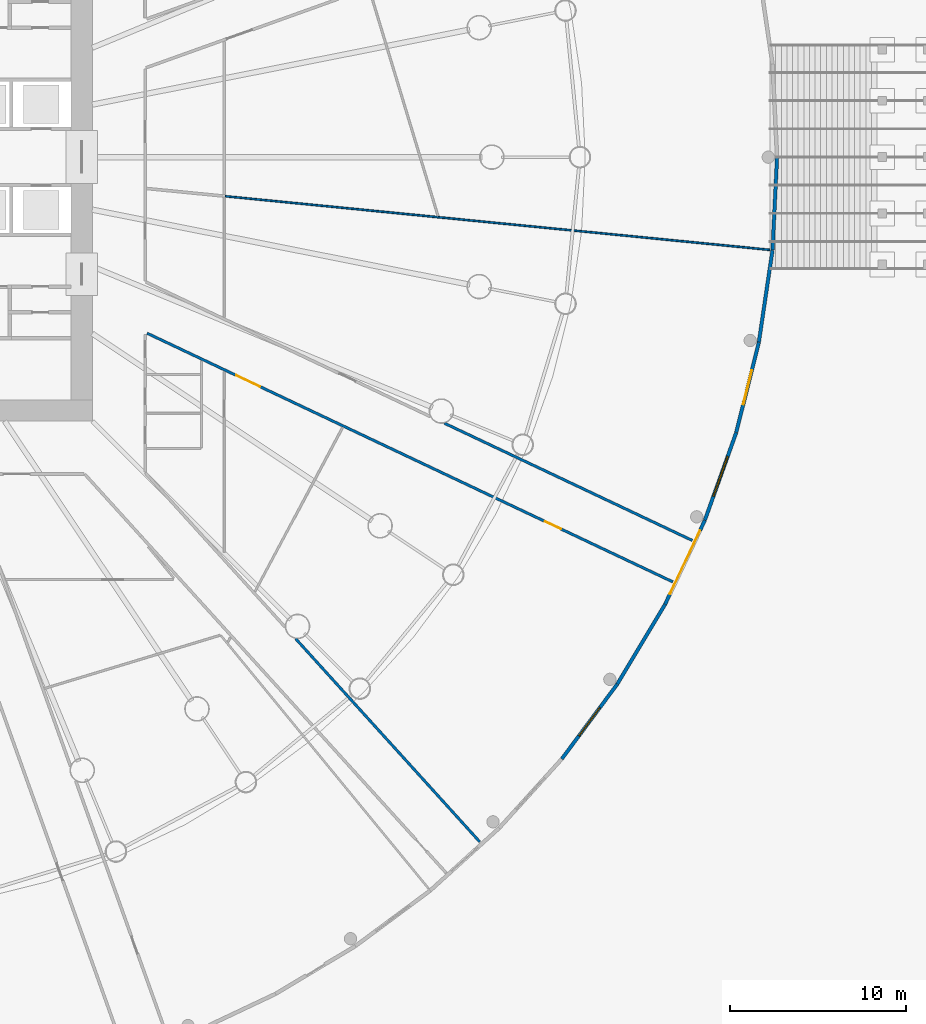
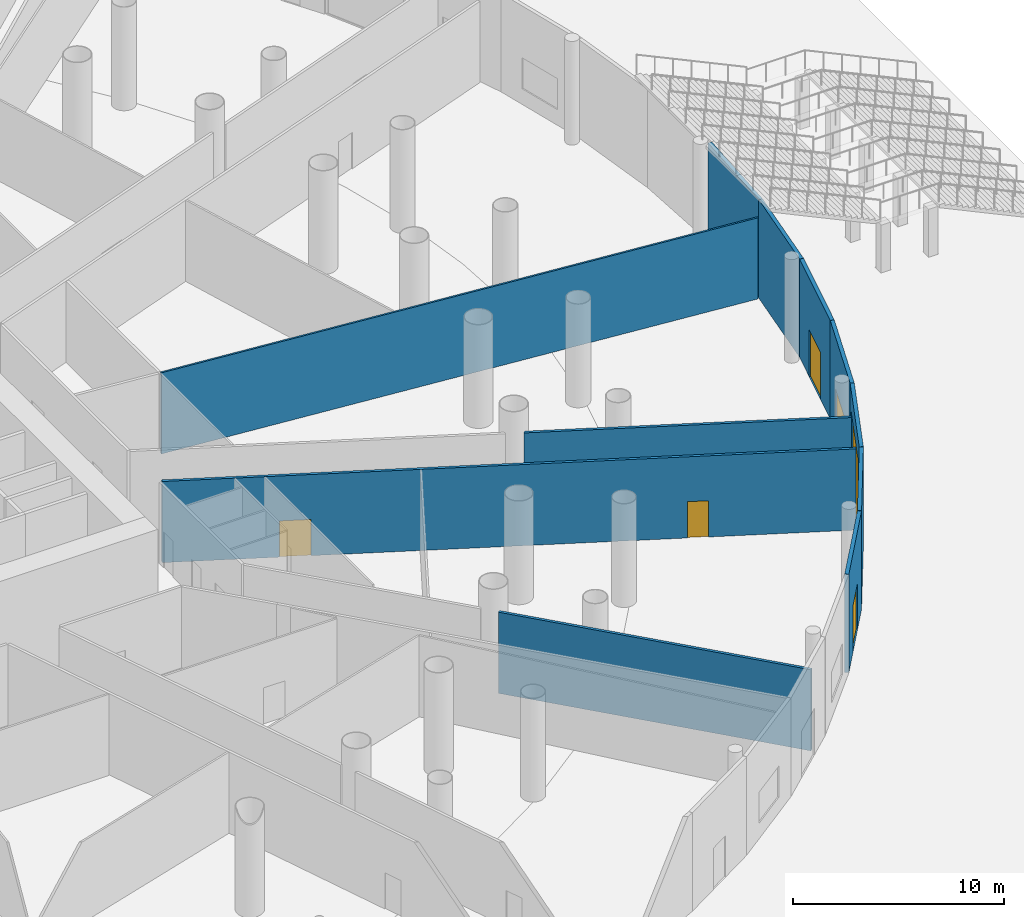
# One storey, part 17 of 33: 11 walls, 5 doors, 1 window, 6 openings.
"""IFC4 building model written with IfcOpenShell, lengths in metres."""

from ifc_helpers import new_model, si_unit, direction, frame, frame_2d, origin, place, context, subcontext, project, spatial, rectangle, extrude, material, layer, layer_set, type_object, element, fill, save


model = new_model("IFC4")

# Units and contexts
model_context = context("Model", 3, precision=1e-05, world=origin(), true_north=direction((0.0, 1.0)))
body_context = subcontext(model_context, "Body", "Model", "MODEL_VIEW")
ifc_project = project(units=[si_unit("LENGTHUNIT", "METRE"), si_unit("AREAUNIT", "SQUARE_METRE"), si_unit("VOLUMEUNIT", "CUBIC_METRE"), si_unit("PLANEANGLEUNIT", "RADIAN"), si_unit("MASSUNIT", "GRAM", prefix="KILO")], contexts=[model_context])

# Site, building, storey
site_placement = place(None, origin())
site = spatial("IfcSite", under=ifc_project, at=site_placement, CompositionType="ELEMENT")
building_placement = place(site_placement, origin())
building = spatial("IfcBuilding", under=site, at=building_placement, Name="Corvane Civic Tower", CompositionType="ELEMENT")
storey_placement = place(building_placement, origin())
storey = spatial("IfcBuildingStorey", under=building, at=storey_placement, Name="G", CompositionType="ELEMENT", Elevation=0.0)

# Walls
ifc_material_1 = material(Name="Limestone cladding", Category="masonry")
ifc_layer_1 = layer(ifc_material_1, 0.199951171875)
ifc_layer_set_1 = layer_set([ifc_layer_1], Name="Limestone cladding")
wall_type_1 = type_object("IfcWallType", Name="PODIUM-W-PLINTH-200", PredefinedType="SOLIDWALL", material=ifc_layer_set_1)
for number, where, z_axis, x_axis, name in (
    (1, (53.899658203125, -0.005126953125, 0.0), (0.0, 0.0, 1.0), (-0.0490657505, -0.998795550715, 0.0), "Plinth stone wall 09A"),
    (2, (53.6396484375, -5.2880859375, 0.0), (0.0, 0.0, 1.0), (-0.146734692875, -0.989175884212, 0.0), "Plinth stone wall 09B"),
):
    element("IfcWall", number, at=place(storey_placement, frame(where, z_axis=z_axis, x_axis=x_axis)), inside=storey, type_object=wall_type_1, Name=name, PredefinedType="SOLIDWALL", context=body_context, shape_type="SweptSolid", body=[
        extrude(rectangle(XDim=5.279296875, YDim=0.199951171875, at=frame_2d((2.6396484375, 0.0))), origin(), (0.0, 0.0, 1.0), 5.699951171875),
    ])

# Wall, opening, door
wall_1_placement = place(storey_placement, frame((52.863037109375, -10.520263671875, 0.0), z_axis=(0.0, 0.0, 1.0), x_axis=(-0.243014361132, -0.970022690602, 0.0)))
wall_1 = element("IfcWall", 3, at=wall_1_placement, inside=storey, type_object=wall_type_1, Name="Plinth stone wall 10A", PredefinedType="SOLIDWALL", context=body_context, shape_type="SweptSolid", body=[
    extrude(rectangle(XDim=5.279296875, YDim=0.199951171875, at=frame_2d((2.6396484375, 0.0))), origin(), (0.0, 0.0, 1.0), 5.699951171875),
])
opening_1_placement = place(wall_1_placement, frame((1.6396484375, 0.0, 0.0)))
opening_1 = element("IfcOpeningElement", 4, at=opening_1_placement, cuts=wall_1, Name="Opening ED-G-X10", PredefinedType="OPENING", context=body_context, shape_type="SweptSolid", body=[
    extrude(rectangle(XDim=2.0, YDim=2.699951171875, at=frame_2d((1.0, 1.35009765625))), frame((0.0, 0.10986328125, 0.0), z_axis=(0.0, -1.0, 0.0), x_axis=(1.0, 0.0, 0.0)), (0.0, 0.0, 1.0), 0.219970703125),
])
ifc_material_2 = material(Name="Anodised aluminium and glass", Category="aluminium")
door_type_1 = type_object("IfcDoorType", Name="PODIUM-D-EXIT-2000", OperationType="DOUBLE_DOOR_SINGLE_SWING", PredefinedType="DOOR", material=ifc_material_2)
door_1_placement = place(opening_1_placement, origin())
door_1 = element("IfcDoor", 5, at=door_1_placement, inside=storey, type_object=door_type_1, Name="Exit door 10", OperationType="DOUBLE_DOOR_SINGLE_SWING", OverallHeight=2.699951171875, OverallWidth=2.0, PredefinedType="DOOR", context=body_context, shape_type="SweptSolid", body=[
    extrude(rectangle(XDim=2.0, YDim=2.699951171875, at=frame_2d((1.0, 1.35009765625))), frame((0.0, 0.02490234375, 0.0), z_axis=(0.0, -1.0, 0.0), x_axis=(1.0, 0.0, 0.0)), (0.0, 0.0, 1.0), 0.050048828125),
])
fill(opening_1, door_1)

# Wall, opening, window
wall_2_placement = place(storey_placement, frame((51.577392578125, -15.65087890625, 0.0), z_axis=(0.0, 0.0, 1.0), x_axis=(-0.336933944331, -0.941528288028, 0.0)))
wall_2 = element("IfcWall", 6, at=wall_2_placement, inside=storey, type_object=wall_type_1, Name="Plinth stone wall 10B", PredefinedType="SOLIDWALL", context=body_context, shape_type="SweptSolid", body=[
    extrude(rectangle(XDim=5.279296875, YDim=0.199951171875, at=frame_2d((2.6396484375, 0.0))), origin(), (0.0, 0.0, 1.0), 5.699951171875),
])
opening_2_placement = place(wall_2_placement, frame((1.439697265625, 0.0, 0.89990234375)))
opening_2 = element("IfcOpeningElement", 7, at=opening_2_placement, cuts=wall_2, Name="Opening EW-G-10", PredefinedType="OPENING", context=body_context, shape_type="SweptSolid", body=[
    extrude(rectangle(XDim=2.39990234375, YDim=1.800048828125, at=frame_2d((1.199951171875, 0.89990234375))), frame((0.0, 0.10986328125, 0.0), z_axis=(0.0, -1.0, 0.0), x_axis=(1.0, 0.0, 0.0)), (0.0, 0.0, 1.0), 0.219970703125),
])
ifc_material_3 = material(Name="Anodised aluminium and glass", Category="aluminium")
window_type = type_object("IfcWindowType", Name="PODIUM-WN-PLINTH-2400x1800", PartitioningType="DOUBLE_PANEL_VERTICAL", PredefinedType="WINDOW", material=ifc_material_3)
window_placement = place(opening_2_placement, origin())
window = element("IfcWindow", 8, at=window_placement, inside=storey, type_object=window_type, Name="Public hall window 10", OverallHeight=1.800048828125, OverallWidth=2.39990234375, PartitioningType="SINGLE_PANEL", PredefinedType="WINDOW", context=body_context, shape_type="SweptSolid", body=[
    extrude(rectangle(XDim=2.39990234375, YDim=1.800048828125, at=frame_2d((1.199951171875, 0.89990234375))), frame((0.0, 0.030029296875, 0.0), z_axis=(0.0, -1.0, 0.0), x_axis=(1.0, 0.0, 0.0)), (0.0, 0.0, 1.0), 0.06005859375),
])
fill(opening_2, window)

# Wall, opening, door
wall_3_placement = place(storey_placement, frame((49.794677734375, -20.631103515625, 0.0), z_axis=(0.0, 0.0, 1.0), x_axis=(-0.427535614211, -0.903998505851, 0.0)))
wall_3 = element("IfcWall", 9, at=wall_3_placement, inside=storey, type_object=wall_type_1, Name="Plinth stone wall 11A", PredefinedType="SOLIDWALL", context=body_context, shape_type="SweptSolid", body=[
    extrude(rectangle(XDim=5.279296875, YDim=0.199951171875, at=frame_2d((2.6396484375, 0.0))), origin(), (0.0, 0.0, 1.0), 5.699951171875),
])
opening_3_placement = place(wall_3_placement, frame((0.6396484375, 0.0, 0.0)))
opening_3 = element("IfcOpeningElement", 10, at=opening_3_placement, cuts=wall_3, Name="Opening ED-G-D11", PredefinedType="OPENING", context=body_context, shape_type="SweptSolid", body=[
    extrude(rectangle(XDim=4.0, YDim=4.5, at=frame_2d((2.0, 2.25))), frame((0.0, 0.10986328125, 0.0), z_axis=(0.0, -1.0, 0.0), x_axis=(1.0, 0.0, 0.0)), (0.0, 0.0, 1.0), 0.219970703125),
])
ifc_material_4 = material(Name="Galvanised steel", Category="steel")
door_type_2 = type_object("IfcDoorType", Name="PODIUM-D-DOCK-4000", OperationType="ROLLINGUP", PredefinedType="DOOR", material=ifc_material_4)
door_2_placement = place(opening_3_placement, origin())
door_2 = element("IfcDoor", 11, at=door_2_placement, inside=storey, type_object=door_type_2, Name="Loading dock door 11", OperationType="ROLLINGUP", OverallHeight=4.5, OverallWidth=4.0, PredefinedType="DOOR", context=body_context, shape_type="SweptSolid", body=[
    extrude(rectangle(XDim=4.0, YDim=4.5, at=frame_2d((2.0, 2.25))), frame((0.0, 0.02490234375, 0.0), z_axis=(0.0, -1.0, 0.0), x_axis=(1.0, 0.0, 0.0)), (0.0, 0.0, 1.0), 0.050048828125),
])
fill(opening_3, door_2)

# Wall
wall_4_placement = place(storey_placement, frame((47.532958984375, -25.41259765625, 0.0), z_axis=(0.0, 0.0, 1.0), x_axis=(-0.514114856697, -0.857721349929, 0.0)))
element("IfcWall", 12, at=wall_4_placement, inside=storey, type_object=wall_type_1, Name="Plinth stone wall 11B", PredefinedType="SOLIDWALL", context=body_context, shape_type="SweptSolid", body=[
    extrude(rectangle(XDim=5.279296875, YDim=0.199951171875, at=frame_2d((2.6396484375, 0.0))), origin(), (0.0, 0.0, 1.0), 5.699951171875),
])

# Wall, opening, door
wall_5_placement = place(storey_placement, frame((44.81298828125, -29.94921875, 0.0), z_axis=(0.0, 0.0, 1.0), x_axis=(-0.595677574746, -0.803223646903, 0.0)))
wall_5 = element("IfcWall", 13, at=wall_5_placement, inside=storey, type_object=wall_type_1, Name="Plinth stone wall 12A", PredefinedType="SOLIDWALL", context=body_context, shape_type="SweptSolid", body=[
    extrude(rectangle(XDim=5.279296875, YDim=0.199951171875, at=frame_2d((2.6396484375, 0.0))), origin(), (0.0, 0.0, 1.0), 5.699951171875),
])
opening_4_placement = place(wall_5_placement, frame((1.6396484375, 0.0, 0.0)))
opening_4 = element("IfcOpeningElement", 14, at=opening_4_placement, cuts=wall_5, Name="Opening ED-G-X12", PredefinedType="OPENING", context=body_context, shape_type="SweptSolid", body=[
    extrude(rectangle(XDim=2.0, YDim=2.699951171875, at=frame_2d((1.0, 1.35009765625))), frame((0.0, 0.10986328125, 0.0), z_axis=(0.0, -1.0, 0.0), x_axis=(1.0, 0.0, 0.0)), (0.0, 0.0, 1.0), 0.219970703125),
])
door_3_placement = place(opening_4_placement, origin())
door_3 = element("IfcDoor", 15, at=door_3_placement, inside=storey, type_object=door_type_1, Name="Exit door 12", OperationType="DOUBLE_DOOR_SINGLE_SWING", OverallHeight=2.699951171875, OverallWidth=2.0, PredefinedType="DOOR", context=body_context, shape_type="SweptSolid", body=[
    extrude(rectangle(XDim=2.0, YDim=2.699951171875, at=frame_2d((1.0, 1.35009765625))), frame((0.0, 0.02490234375, 0.0), z_axis=(0.0, -1.0, 0.0), x_axis=(1.0, 0.0, 0.0)), (0.0, 0.0, 1.0), 0.050048828125),
])
fill(opening_4, door_3)

# Walls
ifc_material_5 = material(Name="Plasterboard")
ifc_layer_2 = layer(ifc_material_5, 0.10009765625)
ifc_layer_set_2 = layer_set([ifc_layer_2], Name="Plasterboard")
wall_type_2 = type_object("IfcWallType", Name="Partition 100 plasterboard on studs", PredefinedType="PARTITIONING", material=ifc_layer_set_2)
wall_6_placement = place(storey_placement, frame((22.554931640625, -2.221435546875, 0.0), z_axis=(0.0, 0.0, 1.0), x_axis=(0.995184985743, -0.098014509901, 0.0)))
element("IfcWall", 16, at=wall_6_placement, inside=storey, type_object=wall_type_2, Name="Partition G.053", PredefinedType="PARTITIONING", context=body_context, shape_type="SweptSolid", body=[
    extrude(rectangle(XDim=31.0859375, YDim=0.10009765625, at=frame_2d((15.54296875, 0.0))), origin(), (0.0, 0.0, 1.0), 4.699951171875),
])
ifc_material_6 = material(Name="Plasterboard")
ifc_layer_3 = layer(ifc_material_6, 0.14990234375)
ifc_layer_set_3 = layer_set([ifc_layer_3], Name="Plasterboard")
wall_type_3 = type_object("IfcWallType", Name="Tenancy wall 150 EI 60", PredefinedType="PARTITIONING", material=ifc_layer_set_3)
wall_7_placement = place(storey_placement, frame((26.55126953125, -27.359130859375, 0.0), z_axis=(0.0, 0.0, 1.0), x_axis=(0.67156001571, -0.740950163843, 0.0)))
element("IfcWall", 17, at=wall_7_placement, inside=storey, type_object=wall_type_3, Name="Partition G.008", PredefinedType="PARTITIONING", context=body_context, shape_type="SweptSolid", body=[
    extrude(rectangle(XDim=15.5830078125, YDim=0.14990234375, at=frame_2d((7.79150390625, 0.0))), origin(), (0.0, 0.0, 1.0), 4.699951171875),
])

# Wall, openings, doors
wall_8_placement = place(storey_placement, frame((18.107177734375, -10.002197265625, 0.0), z_axis=(0.0, 0.0, 1.0), x_axis=(0.903989400844, -0.427554865674, 0.0)))
wall_8 = element("IfcWall", 18, at=wall_8_placement, inside=storey, type_object=wall_type_3, Name="Partition G.022", PredefinedType="PARTITIONING", context=body_context, shape_type="SweptSolid", body=[
    extrude(rectangle(XDim=33.0400390625, YDim=0.14990234375, at=frame_2d((16.52001953125, 0.0))), origin(), (0.0, 0.0, 1.0), 4.699951171875),
])
opening_5_placement = place(wall_8_placement, frame((25.019775390625, 0.0, 0.0)))
opening_5 = element("IfcOpeningElement", 19, at=opening_5_placement, cuts=wall_8, Name="Opening G.012", PredefinedType="OPENING", context=body_context, shape_type="SweptSolid", body=[
    extrude(rectangle(XDim=1.0, YDim=2.10009765625, at=frame_2d((0.5, 1.050048828125))), frame((0.0, 0.0849609375, 0.0), z_axis=(0.0, -1.0, 0.0), x_axis=(1.0, 0.0, 0.0)), (0.0, 0.0, 1.0), 0.169921875),
])
opening_6_placement = place(wall_8_placement, frame((5.603759765625, 0.0, 0.0)))
opening_6 = element("IfcOpeningElement", 20, at=opening_6_placement, cuts=wall_8, Name="Opening G.014", PredefinedType="OPENING", context=body_context, shape_type="SweptSolid", body=[
    extrude(rectangle(XDim=1.5, YDim=2.10009765625, at=frame_2d((0.75, 1.050048828125))), frame((0.0, 0.0849609375, 0.0), z_axis=(0.0, -1.0, 0.0), x_axis=(1.0, 0.0, 0.0)), (0.0, 0.0, 1.0), 0.169921875),
])
ifc_material_7 = material(Name="Steel and timber", Category="steel")
door_type_3 = type_object("IfcDoorType", Name="Fire door FD30S 1000", OperationType="NOTDEFINED", PredefinedType="DOOR", material=ifc_material_7)
door_4_placement = place(opening_5_placement, frame((1.0, 0.0, 0.0), z_axis=(0.0, 0.0, 1.0), x_axis=(-1.0, 0.0, 0.0)))
door_4 = element("IfcDoor", 21, at=door_4_placement, inside=storey, type_object=door_type_3, Name="Door G.012", OperationType="SINGLE_SWING_RIGHT", OverallHeight=2.10009765625, OverallWidth=1.0, PredefinedType="DOOR", context=body_context, shape_type="SweptSolid", body=[
    extrude(rectangle(XDim=1.0, YDim=2.10009765625, at=frame_2d((0.5, 1.050048828125))), frame((0.0, 0.02490234375, 0.0), z_axis=(0.0, -1.0, 0.0), x_axis=(1.0, 0.0, 0.0)), (0.0, 0.0, 1.0), 0.050048828125),
])
fill(opening_5, door_4)
ifc_material_8 = material(Name="Steel and timber", Category="steel")
door_type_4 = type_object("IfcDoorType", Name="Fire door FD60 double 1500", OperationType="NOTDEFINED", PredefinedType="DOOR", material=ifc_material_8)
door_5_placement = place(opening_6_placement, frame((1.5, 0.0, 0.0), z_axis=(0.0, 0.0, 1.0), x_axis=(-1.0, 0.0, 0.0)))
door_5 = element("IfcDoor", 22, at=door_5_placement, inside=storey, type_object=door_type_4, Name="Door G.014", OperationType="DOUBLE_DOOR_SINGLE_SWING", OverallHeight=2.10009765625, OverallWidth=1.5, PredefinedType="DOOR", context=body_context, shape_type="SweptSolid", body=[
    extrude(rectangle(XDim=1.5, YDim=2.10009765625, at=frame_2d((0.75, 1.050048828125))), frame((0.0, 0.02490234375, 0.0), z_axis=(0.0, -1.0, 0.0), x_axis=(1.0, 0.0, 0.0)), (0.0, 0.0, 1.0), 0.050048828125),
])
fill(opening_6, door_5)

# Wall
wall_9_placement = place(storey_placement, frame((35.000244140625, -15.11572265625, 0.0), z_axis=(0.0, 0.0, 1.0), x_axis=(0.903983974075, -0.427566339431, 0.0)))
element("IfcWall", 23, at=wall_9_placement, inside=storey, type_object=wall_type_3, Name="Partition G.030", PredefinedType="PARTITIONING", context=body_context, shape_type="SweptSolid", body=[
    extrude(rectangle(XDim=15.58251953125, YDim=0.14990234375, at=frame_2d((7.791259765625, 0.0))), origin(), (0.0, 0.0, 1.0), 4.699951171875),
])

save(model, "model.ifc")
